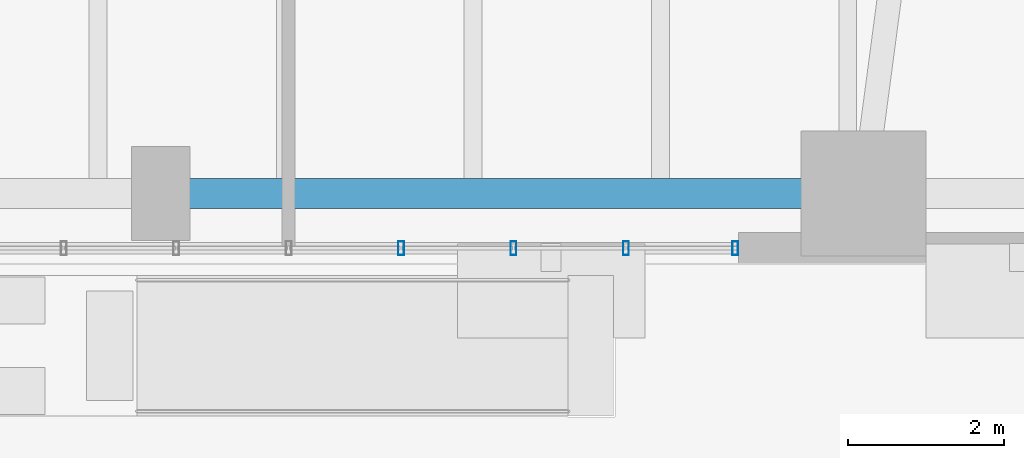
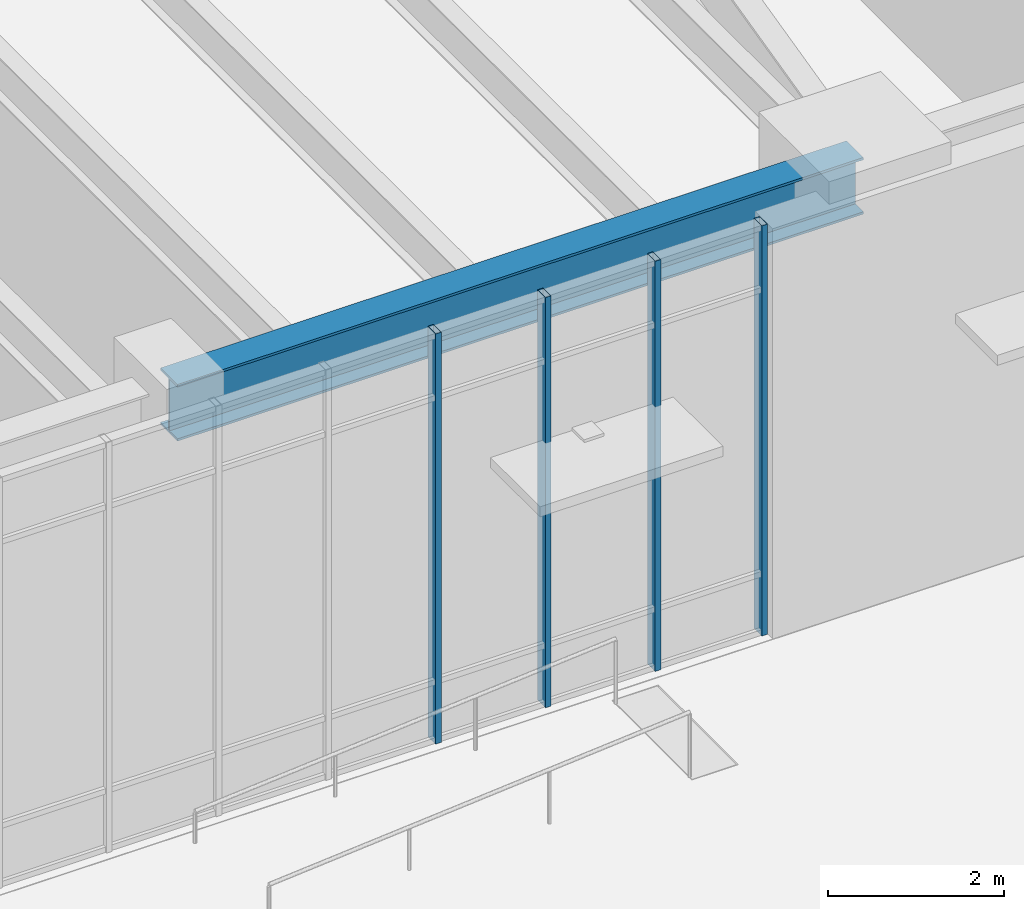
# One storey, part 7 of 28: 4 members, 1 beam, 1 element without a shape of its own.
"""IFC4 building model written with IfcOpenShell, lengths in metres."""

from ifc_helpers import new_model, si_unit, direction, frame, origin, origin_2d, place, context, subcontext, project, spatial, hollow_rectangle, i_section, extrude, material, layer, layer_set, material_profile, profile_set, type_object, element, aggregate, save


model = new_model("IFC4")

# Units and contexts
model_context = context("Model", 3, precision=1e-05, world=origin(), true_north=direction((0.0, 1.0)))
body_context = subcontext(model_context, "Body", "Model", "MODEL_VIEW")
ifc_project = project(units=[si_unit("LENGTHUNIT", "METRE"), si_unit("AREAUNIT", "SQUARE_METRE"), si_unit("VOLUMEUNIT", "CUBIC_METRE"), si_unit("PLANEANGLEUNIT", "RADIAN"), si_unit("MASSUNIT", "GRAM", prefix="KILO"), si_unit("THERMODYNAMICTEMPERATUREUNIT", "KELVIN"), si_unit("POWERUNIT", "WATT")], contexts=[model_context])

# Site, building, storey
site_placement = place(None, origin())
site = spatial("IfcSite", under=ifc_project, at=site_placement, CompositionType="ELEMENT")
building_placement = place(site_placement, origin())
building = spatial("IfcBuilding", under=site, at=building_placement, Name="Skarre Station Tower", CompositionType="ELEMENT")
storey_placement = place(building_placement, origin())
storey = spatial("IfcBuildingStorey", under=building, at=storey_placement, Name="L01", CompositionType="ELEMENT", Elevation=0.0)

# Curtain wall, members
ifc_material_1 = material(Name="Thermally Broken Bronze-Anodized Aluminium & Triple Low-E Glass", Category="aluminium")
ifc_layer = layer(ifc_material_1, 0.239990234375, Name="Thermally Broken Bronze-Anodized Aluminium & Triple Low-E Glass")
ifc_layer_set = layer_set([ifc_layer], Name="Thermally Broken Bronze-Anodized Aluminium & Triple Low-E Glass")
curtain_wall_type = type_object("IfcCurtainWallType", Name="Station Concourse Monumental Unitised Curtain Wall", PredefinedType="NOTDEFINED", material=ifc_layer_set)
curtain_wall_placement = place(storey_placement, origin())
curtain_wall = element("IfcCurtainWall", 1, at=curtain_wall_placement, inside=storey, type_object=curtain_wall_type, Name="L01 South Concourse Portal East Curtain Wall", PredefinedType="NOTDEFINED")
ifc_material_2 = material(Name="Anodized Aluminium 6063-T6", Category="aluminium")
ifc_material_profile_1 = material_profile(ifc_material_2, hollow_rectangle(XDim=0.074951171875, YDim=0.179931640625, WallThickness=0.00390625, at=origin_2d()), Name="Anodized Aluminium 6063-T6")
ifc_profile_set_1 = profile_set([ifc_material_profile_1], Name="Anodized Aluminium 6063-T6")
member_type = type_object("IfcMemberType", Name="Curtain-Wall Heavy Concourse Mullion 180x75", PredefinedType="MULLION", material=ifc_profile_set_1)
member_1_placement = place(storey_placement, frame((52.360107421875, 0.199951171875, 0.0), z_axis=(0.0, 0.0, 1.0), x_axis=(-1.0, 0.0, 0.0)))
member_1 = element("IfcMember", 2, at=member_1_placement, type_object=member_type, Name="L01 South Concourse Portal East Curtain Wall Mullion 1", PredefinedType="MULLION", context=body_context, shape_type="SweptSolid", body=[
    extrude(hollow_rectangle(XDim=0.074951171875, YDim=0.179931640625, WallThickness=0.00390625, at=origin_2d()), origin(), (0.0, 0.0, 1.0), 5.68994140625),
])
member_2_placement = place(storey_placement, frame((50.9599609375, 0.199951171875, 0.0), z_axis=(0.0, 0.0, 1.0), x_axis=(-1.0, 0.0, 0.0)))
member_2 = element("IfcMember", 3, at=member_2_placement, type_object=member_type, Name="L01 South Concourse Portal East Curtain Wall Mullion 2", PredefinedType="MULLION", context=body_context, shape_type="SweptSolid", body=[
    extrude(hollow_rectangle(XDim=0.074951171875, YDim=0.179931640625, WallThickness=0.00390625, at=origin_2d()), origin(), (0.0, 0.0, 1.0), 5.68994140625),
])
member_3_placement = place(storey_placement, frame((49.52001953125, 0.199951171875, 0.0), z_axis=(0.0, 0.0, 1.0), x_axis=(-1.0, 0.0, 0.0)))
member_3 = element("IfcMember", 4, at=member_3_placement, type_object=member_type, Name="L01 South Concourse Portal East Curtain Wall Mullion 3", PredefinedType="MULLION", context=body_context, shape_type="SweptSolid", body=[
    extrude(hollow_rectangle(XDim=0.074951171875, YDim=0.179931640625, WallThickness=0.00390625, at=origin_2d()), origin(), (0.0, 0.0, 1.0), 5.68994140625),
])
member_4_placement = place(storey_placement, frame((48.080078125, 0.199951171875, 0.0), z_axis=(0.0, 0.0, 1.0), x_axis=(-1.0, 0.0, 0.0)))
member_4 = element("IfcMember", 5, at=member_4_placement, type_object=member_type, Name="L01 South Concourse Portal East Curtain Wall Mullion 4", PredefinedType="MULLION", context=body_context, shape_type="SweptSolid", body=[
    extrude(hollow_rectangle(XDim=0.074951171875, YDim=0.179931640625, WallThickness=0.00390625, at=origin_2d()), origin(), (0.0, 0.0, 1.0), 5.68994140625),
])
aggregate(curtain_wall, [member_1, member_2, member_3, member_4])

# Beam
ifc_material_3 = material(Name="Steel ASTM A992 Grade 50", Category="steel")
ifc_material_profile_2 = material_profile(ifc_material_3, i_section(OverallWidth=0.384033203125, OverallDepth=0.785888671875, WebThickness=0.02001953125, FlangeThickness=0.032958984375, at=origin_2d()), Name="Steel ASTM A992 Grade 50")
ifc_profile_set_2 = profile_set([ifc_material_profile_2], Name="Steel ASTM A992 Grade 50")
beam_type = type_object("IfcBeamType", Name="Steel Spandrel W30X211", PredefinedType="SPANDREL", material=ifc_profile_set_2)
beam_placement = place(storey_placement, frame((45.0, 0.89990234375, 5.297119140625), z_axis=(1.0, 0.0, 0.0), x_axis=(0.0, 1.0, 0.0)))
element("IfcBeam", 6, at=beam_placement, inside=storey, type_object=beam_type, Name="L01 South Podium Spandrel 6", PredefinedType="SPANDREL", context=body_context, shape_type="SweptSolid", body=[
    extrude(i_section(OverallWidth=0.384033203125, OverallDepth=0.785888671875, WebThickness=0.02001953125, FlangeThickness=0.032958984375, at=origin_2d()), origin(), (0.0, 0.0, 1.0), 9.0),
])

save(model, "model.ifc")
